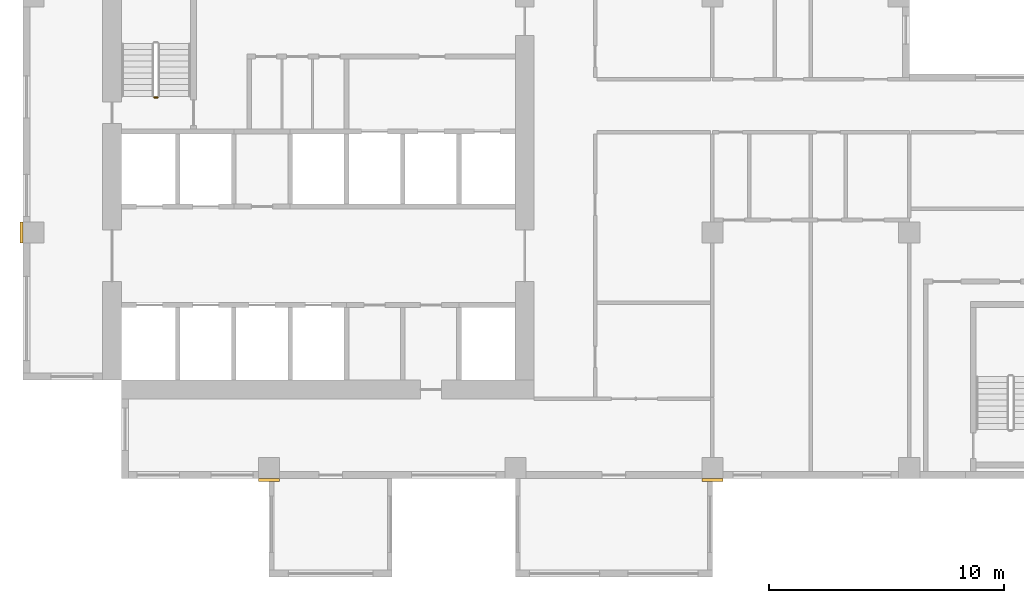
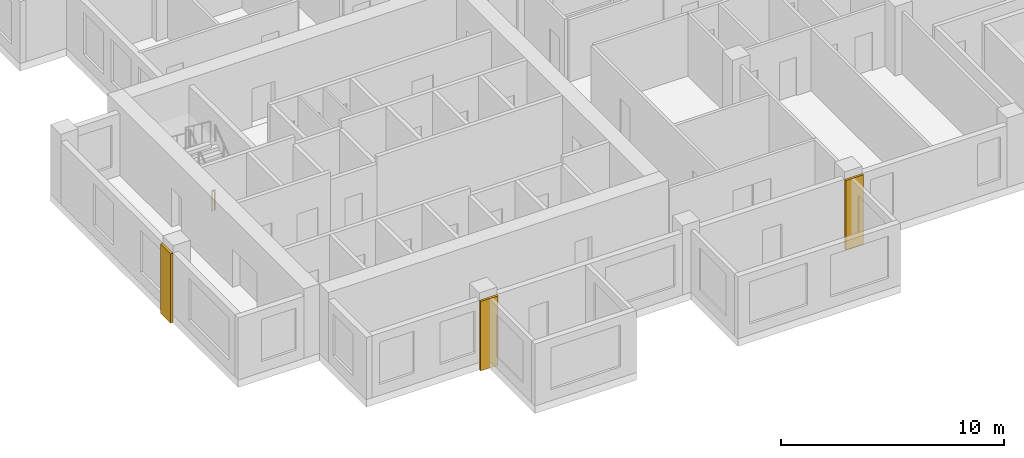
# One storey, part 9 of 12: 3 coverings, 1 railing.
"""IFC4 building model written with IfcOpenShell, lengths in metres."""

from ifc_helpers import new_model, si_unit, direction, frame, origin, origin_2d, place, context, subcontext, project, spatial, rectangle, circle, extrude, source, transform, mapped, material, type_object, element, save


model = new_model("IFC4")

# Units and contexts
model_context = context("Model", 3, precision=1e-05, world=origin(), true_north=direction((0.0, 1.0)))
body_context = subcontext(model_context, "Body", "Model", "MODEL_VIEW")
ifc_project = project(units=[si_unit("LENGTHUNIT", "METRE"), si_unit("AREAUNIT", "SQUARE_METRE"), si_unit("VOLUMEUNIT", "CUBIC_METRE"), si_unit("PLANEANGLEUNIT", "RADIAN"), si_unit("MASSUNIT", "GRAM", prefix="KILO")], contexts=[model_context])

# Site, building, storey
site_placement = place(None, origin())
site = spatial("IfcSite", under=ifc_project, at=site_placement, CompositionType="ELEMENT")
building_placement = place(site_placement, origin())
building = spatial("IfcBuilding", under=site, at=building_placement, Name="Aurelian Terraces", CompositionType="ELEMENT")
storey_placement = place(building_placement, frame((0.0, 0.0, 219.6)))
storey = spatial("IfcBuildingStorey", under=building, at=storey_placement, Name="L49", CompositionType="ELEMENT", Elevation=219.6)

# Coverings
ifc_material_1 = material(Name="Terracotta rainscreen cladding relief", Category="masonry")
covering_type = type_object("IfcCoveringType", Name="BAGUETTE-TC", PredefinedType="CLADDING", material=ifc_material_1)
shared_shape_1 = source(origin(), body_context, "Body", "SweptSolid", [
    extrude(rectangle(XDim=0.9, YDim=0.12, at=origin_2d()), origin(), (0.0, 0.0, 1.0), 3.8),
])
for number, where, z_axis, x_axis, name in (
    (1, (10.5, -0.06, -0.4), (0.0, 0.0, 1.0), (1.0, 0.0, 0.0), "BAGUETTE pier L49 1"),
    (2, (29.4, -0.06, -0.4), (0.0, 0.0, 1.0), (1.0, 0.0, 0.0), "BAGUETTE pier L49 2"),
):
    element("IfcCovering", number, at=place(storey_placement, frame(where, z_axis=z_axis, x_axis=x_axis)), inside=storey, type_object=covering_type, Name=name, PredefinedType="CLADDING", context=body_context, shape_type="MappedRepresentation", body=[
        mapped(shared_shape_1, transform((0.0, 0.0, 0.0), scale=1.0)),
    ])
shared_shape_2 = source(origin(), body_context, "Body", "SweptSolid", [
    extrude(rectangle(XDim=0.12, YDim=0.9, at=origin_2d()), origin(), (0.0, 0.0, 1.0), 3.8),
])
covering_placement = place(storey_placement, frame((-0.06, 10.5, -0.4), z_axis=(0.0, 0.0, 1.0), x_axis=(1.0, 0.0, 0.0)))
element("IfcCovering", 3, at=covering_placement, inside=storey, type_object=covering_type, Name="BAGUETTE pier L49 4", PredefinedType="CLADDING", context=body_context, shape_type="MappedRepresentation", body=[
    mapped(shared_shape_2, transform((0.0, 0.0, 0.0), scale=1.0)),
])

# Railing
ifc_material_2 = material(Name="Stainless steel", Category="steel")
railing_type = type_object("IfcRailingType", Name="Stair guard 1100", PredefinedType="GUARDRAIL", material=ifc_material_2)
shared_shape_3 = source(origin(), body_context, "Body", "SweptSolid", [
    extrude(circle(Radius=0.024, at=origin_2d()), frame((0.0, 0.0, 1.076), z_axis=(-1.0, 0.0, 0.0), x_axis=(0.0, -1.0, 0.0)), (0.0, 0.0, 1.0), 0.15),
    extrude(circle(Radius=0.021, at=origin_2d()), origin(), (0.0, 0.0, 1.0), 1.052),
    extrude(circle(Radius=0.021, at=origin_2d()), frame((-0.15, 0.0, 0.0)), (0.0, 0.0, 1.0), 1.052),
])
railing_placement = place(storey_placement, frame((5.75, 16.25, 0.0)))
element("IfcRailing", 4, at=railing_placement, inside=storey, type_object=railing_type, Name="L49 S1 stair guard 4", PredefinedType="GUARDRAIL", context=body_context, shape_type="MappedRepresentation", body=[
    mapped(shared_shape_3, transform((0.0, 0.0, 0.0), scale=1.0)),
])

save(model, "model.ifc")
